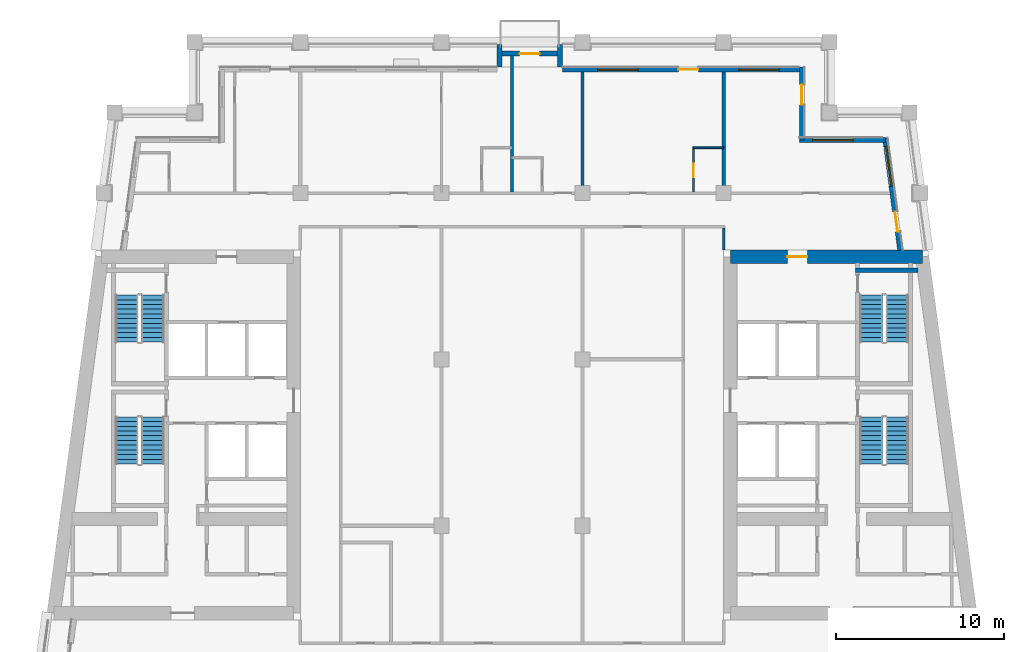
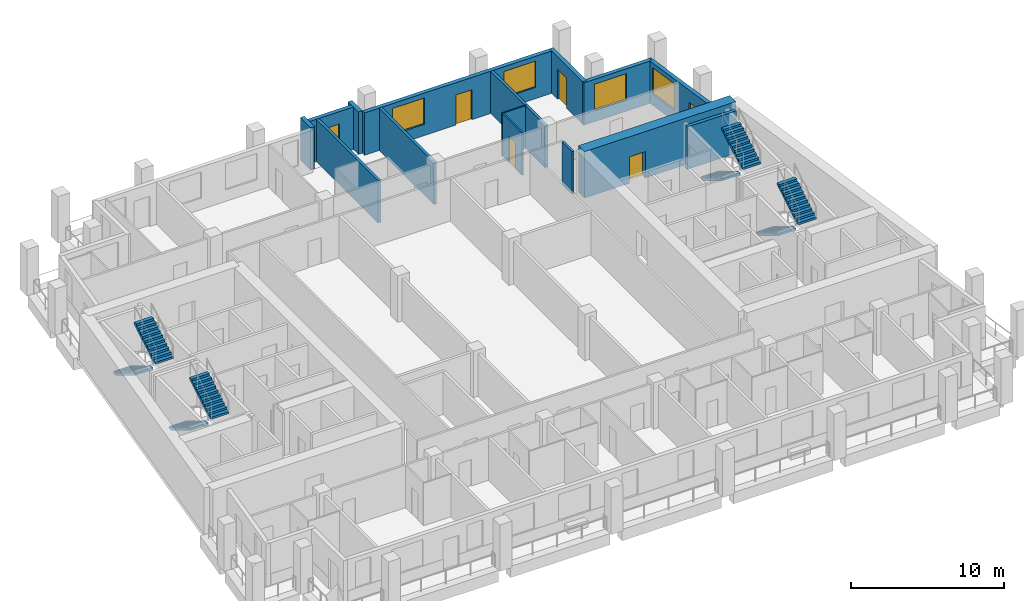
# One storey, part 7 of 12: 15 walls, 8 stair flights, 6 doors, 4 windows, 10 openings, 4 elements without a shape of their own.
"""IFC4 building model written with IfcOpenShell, lengths in metres."""

from ifc_helpers import new_model, si_unit, direction, frame, frame_2d, origin, place, context, subcontext, project, spatial, polyline, rectangle, outline, extrude, material, layer, layer_set, type_object, element, fill, aggregate, save


model = new_model("IFC4")

# Units and contexts
model_context = context("Model", 3, precision=1e-05, world=origin(), true_north=direction((0.0, 1.0)))
body_context = subcontext(model_context, "Body", "Model", "MODEL_VIEW")
ifc_project = project(units=[si_unit("LENGTHUNIT", "METRE"), si_unit("AREAUNIT", "SQUARE_METRE"), si_unit("VOLUMEUNIT", "CUBIC_METRE"), si_unit("PLANEANGLEUNIT", "RADIAN"), si_unit("MASSUNIT", "GRAM", prefix="KILO")], contexts=[model_context])

# Site, building, storey
site_placement = place(None, origin())
site = spatial("IfcSite", under=ifc_project, at=site_placement, CompositionType="ELEMENT")
building_placement = place(site_placement, origin())
building = spatial("IfcBuilding", under=site, at=building_placement, Name="Candeia Pilgrim Tower and Theatre", CompositionType="ELEMENT")
storey_placement = place(building_placement, frame((0.0, 0.0, 228.10009765625)))
storey = spatial("IfcBuildingStorey", under=building, at=storey_placement, Name="L55", CompositionType="ELEMENT", Elevation=228.10009765625)

# Wall, opening, door
ifc_material_1 = material(Name="Concrete C50/60", Category="concrete")
ifc_layer_1 = layer(ifc_material_1, 0.800048828125)
ifc_layer_set_1 = layer_set([ifc_layer_1], Name="Core wall 800 C50/60")
wall_type_1 = type_object("IfcWallType", Name="Core wall 800 C50/60", PredefinedType="SHEAR", material=ifc_layer_set_1)
wall_1_placement = place(storey_placement, frame((126.39990234375, 132.0, 0.0), z_axis=(0.0, 0.0, 1.0), x_axis=(1.0, 0.0, 0.0)))
wall_1 = element("IfcWall", 1, at=wall_1_placement, inside=storey, type_object=wall_type_1, Name="Core wall E1", PredefinedType="SHEAR", context=body_context, shape_type="SweptSolid", body=[
    extrude(rectangle(XDim=11.419677734375, YDim=0.800048828125, at=frame_2d((5.7099609375, 0.0))), origin(), (0.0, 0.0, 1.0), 3.699951171875),
])
opening_1_placement = place(wall_1_placement, frame((3.386474609375, 0.0, 0.0)))
opening_1 = element("IfcOpeningElement", 2, at=opening_1_placement, cuts=wall_1, Name="Opening L55-D058", PredefinedType="OPENING", context=body_context, shape_type="SweptSolid", body=[
    extrude(rectangle(XDim=1.199951171875, YDim=2.10009765625, at=frame_2d((0.60009765625, 1.050048828125))), frame((0.0, 0.41015625, 0.0), z_axis=(0.0, -1.0, 0.0), x_axis=(1.0, 0.0, 0.0)), (0.0, 0.0, 1.0), 0.820068359375),
])
ifc_material_2 = material(Name="Steel fire door set", Category="steel")
door_type_1 = type_object("IfcDoorType", Name="D-1200-FD60", OperationType="NOTDEFINED", PredefinedType="DOOR", material=ifc_material_2)
door_1_placement = place(opening_1_placement, origin())
door_1 = element("IfcDoor", 3, at=door_1_placement, inside=storey, type_object=door_type_1, Name="Door L55-D058", OperationType="SINGLE_SWING_LEFT", OverallHeight=2.10009765625, OverallWidth=1.199951171875, PredefinedType="DOOR", context=body_context, shape_type="SweptSolid", body=[
    extrude(rectangle(XDim=1.199951171875, YDim=2.10009765625, at=frame_2d((0.60009765625, 1.050048828125))), frame((0.0, 0.02490234375, 0.0), z_axis=(0.0, -1.0, 0.0), x_axis=(1.0, 0.0, 0.0)), (0.0, 0.0, 1.0), 0.050048828125),
])
fill(opening_1, door_1)

# Wall, openings, door, window
ifc_material_3 = material(Name="Ceramic block masonry", Category="masonry")
ifc_layer_2 = layer(ifc_material_3, 0.300048828125)
ifc_layer_set_2 = layer_set([ifc_layer_2], Name="EW1 glazing-line wall 300")
wall_type_2 = type_object("IfcWallType", Name="EW1 glazing-line wall 300", PredefinedType="SOLIDWALL", material=ifc_layer_set_2)
wall_2_placement = place(storey_placement, frame((136.50439453125, 132.39990234375, 0.0), z_axis=(0.0, 0.0, 1.0), x_axis=(-0.133399697462, 0.99106231929, 0.0)))
wall_2 = element("IfcWall", 4, at=wall_2_placement, inside=storey, type_object=wall_type_2, Name="External wall L55-3.1", PredefinedType="SOLIDWALL", context=body_context, shape_type="SweptSolid", body=[
    extrude(rectangle(XDim=6.740478515625, YDim=0.300048828125, at=frame_2d((3.3701171875, 0.0))), origin(), (0.0, 0.0, 1.0), 3.3798828125),
])
opening_2_placement = place(wall_2_placement, frame((1.115234375, 0.0, 0.0)))
opening_2 = element("IfcOpeningElement", 5, at=opening_2_placement, cuts=wall_2, Name="Opening L55-ED527", PredefinedType="OPENING", context=body_context, shape_type="SweptSolid", body=[
    extrude(rectangle(XDim=1.199951171875, YDim=2.39990234375, at=frame_2d((0.60009765625, 1.199951171875))), frame((0.0, 0.16015625, 0.0), z_axis=(0.0, -1.0, 0.0), x_axis=(1.0, 0.0, 0.0)), (0.0, 0.0, 1.0), 0.320068359375),
])
opening_3_placement = place(wall_2_placement, frame((3.83544921875, 0.0, 0.89990234375)))
opening_3 = element("IfcOpeningElement", 6, at=opening_3_placement, cuts=wall_2, Name="Opening W-A", PredefinedType="OPENING", context=body_context, shape_type="SweptSolid", body=[
    extrude(rectangle(XDim=2.39990234375, YDim=2.10009765625, at=frame_2d((1.199951171875, 1.050048828125))), frame((0.0, 0.16015625, 0.0), z_axis=(0.0, -1.0, 0.0), x_axis=(1.0, 0.0, 0.0)), (0.0, 0.0, 1.0), 0.320068359375),
])
ifc_material_4 = material(Name="Aluminium framed glazed door", Category="aluminium")
door_type_2 = type_object("IfcDoorType", Name="Loggia door 1200x2400", OperationType="DOUBLE_DOOR_SINGLE_SWING", PredefinedType="DOOR", material=ifc_material_4)
door_2_placement = place(opening_2_placement, origin())
door_2 = element("IfcDoor", 7, at=door_2_placement, inside=storey, type_object=door_type_2, Name="Loggia door L55-ED527", OperationType="DOUBLE_DOOR_SINGLE_SWING", OverallHeight=2.39990234375, OverallWidth=1.199951171875, PredefinedType="DOOR", context=body_context, shape_type="SweptSolid", body=[
    extrude(rectangle(XDim=1.199951171875, YDim=2.39990234375, at=frame_2d((0.60009765625, 1.199951171875))), frame((0.0, 0.02490234375, 0.0), z_axis=(0.0, -1.0, 0.0), x_axis=(1.0, 0.0, 0.0)), (0.0, 0.0, 1.0), 0.050048828125),
])
fill(opening_2, door_2)
ifc_material_5 = material(Name="Aluminium framed double glazing", Category="aluminium")
window_type = type_object("IfcWindowType", Name="W-A window 2400x2100", PartitioningType="DOUBLE_PANEL_VERTICAL", PredefinedType="WINDOW", material=ifc_material_5)
window_1_placement = place(opening_3_placement, origin())
window_1 = element("IfcWindow", 8, at=window_1_placement, inside=storey, type_object=window_type, Name="Window W-A L55", OverallHeight=2.10009765625, OverallWidth=2.39990234375, PartitioningType="SINGLE_PANEL", PredefinedType="WINDOW", context=body_context, shape_type="SweptSolid", body=[
    extrude(rectangle(XDim=2.39990234375, YDim=2.10009765625, at=frame_2d((1.199951171875, 1.050048828125))), frame((0.0, 0.030029296875, 0.0), z_axis=(0.0, -1.0, 0.0), x_axis=(1.0, 0.0, 0.0)), (0.0, 0.0, 1.0), 0.06005859375),
])
fill(opening_3, window_1)

# Wall, opening, window
wall_3_placement = place(storey_placement, frame((135.62255859375, 138.949951171875, 0.0), z_axis=(0.0, 0.0, 1.0), x_axis=(-1.0, 0.0, 0.0)))
wall_3 = element("IfcWall", 9, at=wall_3_placement, inside=storey, type_object=wall_type_2, Name="External wall L55-4.0", PredefinedType="SOLIDWALL", context=body_context, shape_type="SweptSolid", body=[
    extrude(rectangle(XDim=5.12255859375, YDim=0.300048828125, at=frame_2d((2.561279296875, 0.0))), origin(), (0.0, 0.0, 1.0), 3.3798828125),
])
opening_4_placement = place(wall_3_placement, frame((1.922607421875, 0.0, 0.89990234375)))
opening_4 = element("IfcOpeningElement", 10, at=opening_4_placement, cuts=wall_3, Name="Opening W-A", PredefinedType="OPENING", context=body_context, shape_type="SweptSolid", body=[
    extrude(rectangle(XDim=2.39990234375, YDim=2.10009765625, at=frame_2d((1.199951171875, 1.050048828125))), frame((0.0, 0.16015625, 0.0), z_axis=(0.0, -1.0, 0.0), x_axis=(1.0, 0.0, 0.0)), (0.0, 0.0, 1.0), 0.320068359375),
])
window_2_placement = place(opening_4_placement, origin())
window_2 = element("IfcWindow", 11, at=window_2_placement, inside=storey, type_object=window_type, Name="Window W-A L55", OverallHeight=2.10009765625, OverallWidth=2.39990234375, PartitioningType="SINGLE_PANEL", PredefinedType="WINDOW", context=body_context, shape_type="SweptSolid", body=[
    extrude(rectangle(XDim=2.39990234375, YDim=2.10009765625, at=frame_2d((1.199951171875, 1.050048828125))), frame((0.0, 0.030029296875, 0.0), z_axis=(0.0, -1.0, 0.0), x_axis=(1.0, 0.0, 0.0)), (0.0, 0.0, 1.0), 0.06005859375),
])
fill(opening_4, window_2)

# Wall, opening, door
wall_4_placement = place(storey_placement, frame((130.64990234375, 138.949951171875, 0.0), z_axis=(0.0, 0.0, 1.0), x_axis=(0.0, 1.0, 0.0)))
wall_4 = element("IfcWall", 12, at=wall_4_placement, inside=storey, type_object=wall_type_2, Name="External wall L55-5.0", PredefinedType="SOLIDWALL", context=body_context, shape_type="SweptSolid", body=[
    extrude(rectangle(XDim=4.35009765625, YDim=0.300048828125, at=frame_2d((2.175048828125, 0.0))), origin(), (0.0, 0.0, 1.0), 3.3798828125),
])
opening_5_placement = place(wall_4_placement, frame((2.10009765625, 0.0, 0.0)))
opening_5 = element("IfcOpeningElement", 13, at=opening_5_placement, cuts=wall_4, Name="Opening L55-ED528", PredefinedType="OPENING", context=body_context, shape_type="SweptSolid", body=[
    extrude(rectangle(XDim=1.199951171875, YDim=2.39990234375, at=frame_2d((0.60009765625, 1.199951171875))), frame((0.0, 0.16015625, 0.0), z_axis=(0.0, -1.0, 0.0), x_axis=(1.0, 0.0, 0.0)), (0.0, 0.0, 1.0), 0.320068359375),
])
door_3_placement = place(opening_5_placement, origin())
door_3 = element("IfcDoor", 14, at=door_3_placement, inside=storey, type_object=door_type_2, Name="Loggia door L55-ED528", OperationType="DOUBLE_DOOR_SINGLE_SWING", OverallHeight=2.39990234375, OverallWidth=1.199951171875, PredefinedType="DOOR", context=body_context, shape_type="SweptSolid", body=[
    extrude(rectangle(XDim=1.199951171875, YDim=2.39990234375, at=frame_2d((0.60009765625, 1.199951171875))), frame((0.0, 0.02490234375, 0.0), z_axis=(0.0, -1.0, 0.0), x_axis=(1.0, 0.0, 0.0)), (0.0, 0.0, 1.0), 0.050048828125),
])
fill(opening_5, door_3)

# Wall, openings, door, windows
wall_5_placement = place(storey_placement, frame((130.64990234375, 143.14990234375, 0.0), z_axis=(0.0, 0.0, 1.0), x_axis=(-1.0, 0.0, 0.0)))
wall_5 = element("IfcWall", 15, at=wall_5_placement, inside=storey, type_object=wall_type_2, Name="External wall L55-6.0", PredefinedType="SOLIDWALL", context=body_context, shape_type="SweptSolid", body=[
    extrude(rectangle(XDim=14.25, YDim=0.300048828125, at=frame_2d((7.125, 0.0))), origin(), (0.0, 0.0, 1.0), 3.3798828125),
])
opening_6_placement = place(wall_5_placement, frame((1.35009765625, 0.0, 0.89990234375)))
opening_6 = element("IfcOpeningElement", 16, at=opening_6_placement, cuts=wall_5, Name="Opening W-A", PredefinedType="OPENING", context=body_context, shape_type="SweptSolid", body=[
    extrude(rectangle(XDim=2.39990234375, YDim=2.10009765625, at=frame_2d((1.199951171875, 1.050048828125))), frame((0.0, 0.16015625, 0.0), z_axis=(0.0, -1.0, 0.0), x_axis=(1.0, 0.0, 0.0)), (0.0, 0.0, 1.0), 0.320068359375),
])
opening_7_placement = place(wall_5_placement, frame((6.14990234375, 0.0, 0.0)))
opening_7 = element("IfcOpeningElement", 17, at=opening_7_placement, cuts=wall_5, Name="Opening L55-ED529", PredefinedType="OPENING", context=body_context, shape_type="SweptSolid", body=[
    extrude(rectangle(XDim=1.199951171875, YDim=2.39990234375, at=frame_2d((0.60009765625, 1.199951171875))), frame((0.0, 0.16015625, 0.0), z_axis=(0.0, -1.0, 0.0), x_axis=(1.0, 0.0, 0.0)), (0.0, 0.0, 1.0), 0.320068359375),
])
opening_8_placement = place(wall_5_placement, frame((9.75, 0.0, 0.89990234375)))
opening_8 = element("IfcOpeningElement", 18, at=opening_8_placement, cuts=wall_5, Name="Opening W-A", PredefinedType="OPENING", context=body_context, shape_type="SweptSolid", body=[
    extrude(rectangle(XDim=2.39990234375, YDim=2.10009765625, at=frame_2d((1.199951171875, 1.050048828125))), frame((0.0, 0.16015625, 0.0), z_axis=(0.0, -1.0, 0.0), x_axis=(1.0, 0.0, 0.0)), (0.0, 0.0, 1.0), 0.320068359375),
])
door_4_placement = place(opening_7_placement, origin())
door_4 = element("IfcDoor", 19, at=door_4_placement, inside=storey, type_object=door_type_2, Name="Loggia door L55-ED529", OperationType="DOUBLE_DOOR_SINGLE_SWING", OverallHeight=2.39990234375, OverallWidth=1.199951171875, PredefinedType="DOOR", context=body_context, shape_type="SweptSolid", body=[
    extrude(rectangle(XDim=1.199951171875, YDim=2.39990234375, at=frame_2d((0.60009765625, 1.199951171875))), frame((0.0, 0.02490234375, 0.0), z_axis=(0.0, -1.0, 0.0), x_axis=(1.0, 0.0, 0.0)), (0.0, 0.0, 1.0), 0.050048828125),
])
fill(opening_7, door_4)
window_3_placement = place(opening_6_placement, origin())
window_3 = element("IfcWindow", 20, at=window_3_placement, inside=storey, type_object=window_type, Name="Window W-A L55", OverallHeight=2.10009765625, OverallWidth=2.39990234375, PartitioningType="SINGLE_PANEL", PredefinedType="WINDOW", context=body_context, shape_type="SweptSolid", body=[
    extrude(rectangle(XDim=2.39990234375, YDim=2.10009765625, at=frame_2d((1.199951171875, 1.050048828125))), frame((0.0, 0.030029296875, 0.0), z_axis=(0.0, -1.0, 0.0), x_axis=(1.0, 0.0, 0.0)), (0.0, 0.0, 1.0), 0.06005859375),
])
fill(opening_6, window_3)
window_4_placement = place(opening_8_placement, origin())
window_4 = element("IfcWindow", 21, at=window_4_placement, inside=storey, type_object=window_type, Name="Window W-A L55", OverallHeight=2.10009765625, OverallWidth=2.39990234375, PartitioningType="SINGLE_PANEL", PredefinedType="WINDOW", context=body_context, shape_type="SweptSolid", body=[
    extrude(rectangle(XDim=2.39990234375, YDim=2.10009765625, at=frame_2d((1.199951171875, 1.050048828125))), frame((0.0, 0.030029296875, 0.0), z_axis=(0.0, -1.0, 0.0), x_axis=(1.0, 0.0, 0.0)), (0.0, 0.0, 1.0), 0.06005859375),
])
fill(opening_8, window_4)

# Walls
ifc_layer_3 = layer(ifc_material_3, 0.300048828125)
ifc_layer_set_3 = layer_set([ifc_layer_3], Name="EW2 entrance infill wall 300")
wall_type_3 = type_object("IfcWallType", Name="EW2 entrance infill wall 300", PredefinedType="SOLIDWALL", material=ifc_layer_set_3)
for number, where, z_axis, x_axis, name in (
    (22, (116.25, 143.300048828125, 0.0), (0.0, 0.0, 1.0), (0.0, 1.0, 0.0), "Alcove wall L55"),
    (23, (112.64990234375, 143.300048828125, 0.0), (0.0, 0.0, 1.0), (0.0, 1.0, 0.0), "Alcove wall L55"),
):
    element("IfcWall", number, at=place(storey_placement, frame(where, z_axis=z_axis, x_axis=x_axis)), inside=storey, type_object=wall_type_3, Name=name, PredefinedType="SOLIDWALL", context=body_context, shape_type="SweptSolid", body=[
        extrude(rectangle(XDim=1.349853515625, YDim=0.300048828125, at=frame_2d((0.6748046875, 0.0))), origin(), (0.0, 0.0, 1.0), 3.3798828125),
    ])

# Wall, opening, door
wall_6_placement = place(storey_placement, frame((116.39990234375, 144.10009765625, 0.0), z_axis=(0.0, 0.0, 1.0), x_axis=(-1.0, 0.0, 0.0)))
wall_6 = element("IfcWall", 24, at=wall_6_placement, inside=storey, type_object=wall_type_3, Name="Alcove wall L55", PredefinedType="SOLIDWALL", context=body_context, shape_type="SweptSolid", body=[
    extrude(rectangle(XDim=3.89990234375, YDim=0.300048828125, at=frame_2d((1.949951171875, 0.0))), origin(), (0.0, 0.0, 1.0), 3.3798828125),
])
opening_9_placement = place(wall_6_placement, frame((1.35009765625, 0.0, 0.0)))
opening_9 = element("IfcOpeningElement", 25, at=opening_9_placement, cuts=wall_6, Name="Opening L55-ED531", PredefinedType="OPENING", context=body_context, shape_type="SweptSolid", body=[
    extrude(rectangle(XDim=1.199951171875, YDim=2.39990234375, at=frame_2d((0.60009765625, 1.199951171875))), frame((0.0, 0.16015625, 0.0), z_axis=(0.0, -1.0, 0.0), x_axis=(1.0, 0.0, 0.0)), (0.0, 0.0, 1.0), 0.320068359375),
])
door_5_placement = place(opening_9_placement, origin())
door_5 = element("IfcDoor", 26, at=door_5_placement, inside=storey, type_object=door_type_2, Name="Balcony door L55-ED531", OperationType="DOUBLE_DOOR_SINGLE_SWING", OverallHeight=2.39990234375, OverallWidth=1.199951171875, PredefinedType="DOOR", context=body_context, shape_type="SweptSolid", body=[
    extrude(rectangle(XDim=1.199951171875, YDim=2.39990234375, at=frame_2d((0.60009765625, 1.199951171875))), frame((0.0, 0.02490234375, 0.0), z_axis=(0.0, -1.0, 0.0), x_axis=(1.0, 0.0, 0.0)), (0.0, 0.0, 1.0), 0.050048828125),
])
fill(opening_9, door_5)

# Wall
ifc_material_6 = material(Name="Gypsum board partition on steel studs", Category="steel")
ifc_layer_4 = layer(ifc_material_6, 0.10009765625)
ifc_layer_set_4 = layer_set([ifc_layer_4], Name="PW-100 room partition")
wall_type_4 = type_object("IfcWallType", Name="PW-100 room partition", PredefinedType="PARTITIONING", material=ifc_layer_set_4)
wall_7_placement = place(storey_placement, frame((124.14990234375, 138.5, 0.0), z_axis=(0.0, 0.0, 1.0), x_axis=(1.0, 0.0, 0.0)))
element("IfcWall", 27, at=wall_7_placement, inside=storey, type_object=wall_type_4, Name="Room partition L55-048", PredefinedType="PARTITIONING", context=body_context, shape_type="SweptSolid", body=[
    extrude(rectangle(XDim=1.85009765625, YDim=0.10009765625, at=frame_2d((0.925048828125, 0.0))), origin(), (0.0, 0.0, 1.0), 3.3798828125),
])

# Wall, opening, door
wall_8_placement = place(storey_placement, frame((124.199951171875, 135.875, 0.0), z_axis=(0.0, 0.0, 1.0), x_axis=(0.0, 1.0, 0.0)))
wall_8 = element("IfcWall", 28, at=wall_8_placement, inside=storey, type_object=wall_type_4, Name="Room partition L55-094", PredefinedType="PARTITIONING", context=body_context, shape_type="SweptSolid", body=[
    extrude(rectangle(XDim=2.574951171875, YDim=0.10009765625, at=frame_2d((1.28759765625, 0.0))), origin(), (0.0, 0.0, 1.0), 3.3798828125),
])
opening_10_placement = place(wall_8_placement, frame((0.875, 0.0, 0.0)))
opening_10 = element("IfcOpeningElement", 29, at=opening_10_placement, cuts=wall_8, Name="Opening L55-D046", PredefinedType="OPENING", context=body_context, shape_type="SweptSolid", body=[
    extrude(rectangle(XDim=0.800048828125, YDim=2.10009765625, at=frame_2d((0.39990234375, 1.050048828125))), frame((0.0, 0.06005859375, 0.0), z_axis=(0.0, -1.0, 0.0), x_axis=(1.0, 0.0, 0.0)), (0.0, 0.0, 1.0), 0.1201171875),
])
ifc_material_7 = material(Name="Timber door leaf", Category="wood")
door_type_3 = type_object("IfcDoorType", Name="D-800", OperationType="NOTDEFINED", PredefinedType="DOOR", material=ifc_material_7)
door_6_placement = place(opening_10_placement, origin())
door_6 = element("IfcDoor", 30, at=door_6_placement, inside=storey, type_object=door_type_3, Name="Door L55-D046", OperationType="SINGLE_SWING_LEFT", OverallHeight=2.10009765625, OverallWidth=0.800048828125, PredefinedType="DOOR", context=body_context, shape_type="SweptSolid", body=[
    extrude(rectangle(XDim=0.800048828125, YDim=2.10009765625, at=frame_2d((0.39990234375, 1.050048828125))), frame((0.0, 0.02490234375, 0.0), z_axis=(0.0, -1.0, 0.0), x_axis=(1.0, 0.0, 0.0)), (0.0, 0.0, 1.0), 0.050048828125),
])
fill(opening_10, door_6)

# Walls
ifc_layer_5 = layer(ifc_material_6, 0.14990234375)
ifc_layer_set_5 = layer_set([ifc_layer_5], Name="PW-150 unit wall")
wall_type_5 = type_object("IfcWallType", Name="PW-150 unit wall", PredefinedType="PARTITIONING", material=ifc_layer_set_5)
wall_9_placement = place(storey_placement, frame((126.0, 132.39990234375, 0.0), z_axis=(0.0, 0.0, 1.0), x_axis=(0.0, 1.0, 0.0)))
element("IfcWall", 31, at=wall_9_placement, inside=storey, type_object=wall_type_5, Name="Unit wall L55-098", PredefinedType="PARTITIONING", context=body_context, shape_type="SweptSolid", body=[
    extrude(rectangle(XDim=1.3251953125, YDim=0.14990234375, at=frame_2d((0.66259765625, 0.0))), origin(), (0.0, 0.0, 1.0), 3.3798828125),
])
ifc_layer_6 = layer(ifc_material_6, 0.199951171875)
ifc_layer_set_6 = layer_set([ifc_layer_6], Name="PW-200 party wall")
wall_type_6 = type_object("IfcWallType", Name="PW-200 party wall", PredefinedType="PARTITIONING", material=ifc_layer_set_6)
wall_10_placement = place(storey_placement, frame((113.39990234375, 135.875, 0.0), z_axis=(0.0, 0.0, 1.0), x_axis=(0.0, 1.0, 0.0)))
element("IfcWall", 32, at=wall_10_placement, inside=storey, type_object=wall_type_6, Name="Party wall L55-085", PredefinedType="PARTITIONING", context=body_context, shape_type="SweptSolid", body=[
    extrude(rectangle(XDim=8.0849609375, YDim=0.199951171875, at=frame_2d((4.04248046875, 0.0))), origin(), (0.0, 0.0, 1.0), 3.3798828125),
])
for number, where, z_axis, x_axis, name in (
    (33, (117.60009765625, 135.875, 0.0), (0.0, 0.0, 1.0), (0.0, 1.0, 0.0), "Party wall L55-089"),
    (34, (126.0, 135.875, 0.0), (0.0, 0.0, 1.0), (0.0, 1.0, 0.0), "Party wall L55-096"),
):
    element("IfcWall", number, at=place(storey_placement, frame(where, z_axis=z_axis, x_axis=x_axis)), inside=storey, type_object=wall_type_6, Name=name, PredefinedType="PARTITIONING", context=body_context, shape_type="SweptSolid", body=[
        extrude(rectangle(XDim=7.135009765625, YDim=0.199951171875, at=frame_2d((3.5673828125, 0.0))), origin(), (0.0, 0.0, 1.0), 3.3798828125),
    ])
ifc_material_8 = material(Name="Concrete C40/50", Category="concrete")
ifc_layer_7 = layer(ifc_material_8, 0.25)
ifc_layer_set_7 = layer_set([ifc_layer_7], Name="SW-250 stair wall")
wall_type_7 = type_object("IfcWallType", Name="SW-250 stair wall", PredefinedType="PARTITIONING", material=ifc_layer_set_7)
wall_11_placement = place(storey_placement, frame((133.847900390625, 131.199951171875, 0.0), z_axis=(0.0, 0.0, 1.0), x_axis=(1.0, 0.0, 0.0)))
element("IfcWall", 35, at=wall_11_placement, inside=storey, type_object=wall_type_7, Name="Stair wall L55-042", PredefinedType="PARTITIONING", context=body_context, shape_type="SweptSolid", body=[
    extrude(rectangle(XDim=3.705810546875, YDim=0.25, at=frame_2d((1.85302734375, 0.0))), origin(), (0.0, 0.0, 1.0), 3.3798828125),
])

# Stair, stair flights
stair_type = type_object("IfcStairType", Name="ST-TWR dog-leg escape stair", PredefinedType="HALF_TURN_STAIR", material=ifc_material_8)
stair_1_placement = place(storey_placement, origin())
stair_1 = element("IfcStair", 36, at=stair_1_placement, inside=storey, type_object=stair_type, Name="L55 Escape stair ST1", PredefinedType="HALF_TURN_STAIR")
stair_flight_type = type_object("IfcStairFlightType", Name="SFL-RC stair flight", PredefinedType="STRAIGHT", material=ifc_material_8)
stair_flight_1_placement = place(storey_placement, frame((90.47705078125, 122.47509765625, 0.0), z_axis=(0.0, 0.0, 1.0), x_axis=(0.0, -1.0, 0.0)))
stair_flight_1 = element("IfcStairFlight", 37, at=stair_flight_1_placement, type_object=stair_flight_type, Name="ST1 flight 1", NumberOfRisers=11, NumberOfTreads=10, PredefinedType="STRAIGHT", RiserHeight=0.168181818, TreadLength=0.28, context=body_context, shape_type="SweptSolid", body=[
    extrude(outline(polyline([(0.0, 0.0), (0.0, 0.168212890625), (0.280029296875, 0.168212890625), (0.280029296875, 0.33642578125), (0.56005859375, 0.33642578125), (0.56005859375, 0.504638671875), (0.840087890625, 0.504638671875), (0.840087890625, 0.672607421875), (1.1201171875, 0.672607421875), (1.1201171875, 0.8408203125), (1.39990234375, 0.8408203125), (1.39990234375, 1.009033203125), (1.679931640625, 1.009033203125), (1.679931640625, 1.17724609375), (1.9599609375, 1.17724609375), (1.9599609375, 1.345458984375), (2.239990234375, 1.345458984375), (2.239990234375, 1.513671875), (2.52001953125, 1.513671875), (2.52001953125, 1.681884765625), (2.800048828125, 1.681884765625), (2.800048828125, 1.85009765625), (2.800048828125, 1.5068359375), (0.291015625, 0.0), (0.0, 0.0)])), frame((0.0, 0.675048828125, 0.0), z_axis=(0.0, -1.0, 0.0), x_axis=(1.0, 0.0, 0.0)), (0.0, 0.0, 1.0), 1.35009765625),
])
stair_flight_2_placement = place(storey_placement, frame((92.027099609375, 119.675048828125, 1.849853515625), z_axis=(0.0, 0.0, 1.0), x_axis=(0.0, 1.0, 0.0)))
stair_flight_2 = element("IfcStairFlight", 38, at=stair_flight_2_placement, type_object=stair_flight_type, Name="ST1 flight 2", NumberOfRisers=11, NumberOfTreads=10, PredefinedType="STRAIGHT", RiserHeight=0.168181818, TreadLength=0.28, context=body_context, shape_type="SweptSolid", body=[
    extrude(outline(polyline([(0.0, 0.0), (0.0, 0.168212890625), (0.280029296875, 0.168212890625), (0.280029296875, 0.33642578125), (0.56005859375, 0.33642578125), (0.56005859375, 0.504638671875), (0.840087890625, 0.504638671875), (0.840087890625, 0.672607421875), (1.1201171875, 0.672607421875), (1.1201171875, 0.8408203125), (1.39990234375, 0.8408203125), (1.39990234375, 1.009033203125), (1.679931640625, 1.009033203125), (1.679931640625, 1.17724609375), (1.9599609375, 1.17724609375), (1.9599609375, 1.345458984375), (2.239990234375, 1.345458984375), (2.239990234375, 1.513671875), (2.52001953125, 1.513671875), (2.52001953125, 1.681884765625), (2.800048828125, 1.681884765625), (2.800048828125, 1.85009765625), (2.800048828125, 1.5068359375), (0.291015625, 0.0), (0.0, 0.0)])), frame((0.0, 0.675048828125, 0.0), z_axis=(0.0, -1.0, 0.0), x_axis=(1.0, 0.0, 0.0)), (0.0, 0.0, 1.0), 1.35009765625),
])
aggregate(stair_1, [stair_flight_1, stair_flight_2])

stair_2_placement = place(storey_placement, origin())
stair_2 = element("IfcStair", 39, at=stair_2_placement, inside=storey, type_object=stair_type, Name="L55 Escape stair ST2", PredefinedType="HALF_TURN_STAIR")
stair_flight_3_placement = place(storey_placement, frame((90.47705078125, 129.72509765625, 0.0), z_axis=(0.0, 0.0, 1.0), x_axis=(0.0, -1.0, 0.0)))
stair_flight_3 = element("IfcStairFlight", 40, at=stair_flight_3_placement, type_object=stair_flight_type, Name="ST2 flight 1", NumberOfRisers=11, NumberOfTreads=10, PredefinedType="STRAIGHT", RiserHeight=0.168181818, TreadLength=0.28, context=body_context, shape_type="SweptSolid", body=[
    extrude(outline(polyline([(0.0, 0.0), (0.0, 0.168212890625), (0.280029296875, 0.168212890625), (0.280029296875, 0.33642578125), (0.56005859375, 0.33642578125), (0.56005859375, 0.504638671875), (0.840087890625, 0.504638671875), (0.840087890625, 0.672607421875), (1.1201171875, 0.672607421875), (1.1201171875, 0.8408203125), (1.39990234375, 0.8408203125), (1.39990234375, 1.009033203125), (1.679931640625, 1.009033203125), (1.679931640625, 1.17724609375), (1.9599609375, 1.17724609375), (1.9599609375, 1.345458984375), (2.239990234375, 1.345458984375), (2.239990234375, 1.513671875), (2.52001953125, 1.513671875), (2.52001953125, 1.681884765625), (2.800048828125, 1.681884765625), (2.800048828125, 1.85009765625), (2.800048828125, 1.5068359375), (0.291015625, 0.0), (0.0, 0.0)])), frame((0.0, 0.675048828125, 0.0), z_axis=(0.0, -1.0, 0.0), x_axis=(1.0, 0.0, 0.0)), (0.0, 0.0, 1.0), 1.35009765625),
])
stair_flight_4_placement = place(storey_placement, frame((92.027099609375, 126.925048828125, 1.849853515625), z_axis=(0.0, 0.0, 1.0), x_axis=(0.0, 1.0, 0.0)))
stair_flight_4 = element("IfcStairFlight", 41, at=stair_flight_4_placement, type_object=stair_flight_type, Name="ST2 flight 2", NumberOfRisers=11, NumberOfTreads=10, PredefinedType="STRAIGHT", RiserHeight=0.168181818, TreadLength=0.28, context=body_context, shape_type="SweptSolid", body=[
    extrude(outline(polyline([(0.0, 0.0), (0.0, 0.168212890625), (0.280029296875, 0.168212890625), (0.280029296875, 0.33642578125), (0.56005859375, 0.33642578125), (0.56005859375, 0.504638671875), (0.840087890625, 0.504638671875), (0.840087890625, 0.672607421875), (1.1201171875, 0.672607421875), (1.1201171875, 0.8408203125), (1.39990234375, 0.8408203125), (1.39990234375, 1.009033203125), (1.679931640625, 1.009033203125), (1.679931640625, 1.17724609375), (1.9599609375, 1.17724609375), (1.9599609375, 1.345458984375), (2.239990234375, 1.345458984375), (2.239990234375, 1.513671875), (2.52001953125, 1.513671875), (2.52001953125, 1.681884765625), (2.800048828125, 1.681884765625), (2.800048828125, 1.85009765625), (2.800048828125, 1.5068359375), (0.291015625, 0.0), (0.0, 0.0)])), frame((0.0, 0.675048828125, 0.0), z_axis=(0.0, -1.0, 0.0), x_axis=(1.0, 0.0, 0.0)), (0.0, 0.0, 1.0), 1.35009765625),
])
aggregate(stair_2, [stair_flight_3, stair_flight_4])

stair_3_placement = place(storey_placement, origin())
stair_3 = element("IfcStair", 42, at=stair_3_placement, inside=storey, type_object=stair_type, Name="L55 Escape stair ST3", PredefinedType="HALF_TURN_STAIR")
stair_flight_5_placement = place(storey_placement, frame((134.77294921875, 122.47509765625, 0.0), z_axis=(0.0, 0.0, 1.0), x_axis=(0.0, -1.0, 0.0)))
stair_flight_5 = element("IfcStairFlight", 43, at=stair_flight_5_placement, type_object=stair_flight_type, Name="ST3 flight 1", NumberOfRisers=11, NumberOfTreads=10, PredefinedType="STRAIGHT", RiserHeight=0.168181818, TreadLength=0.28, context=body_context, shape_type="SweptSolid", body=[
    extrude(outline(polyline([(0.0, 0.0), (0.0, 0.168212890625), (0.280029296875, 0.168212890625), (0.280029296875, 0.33642578125), (0.56005859375, 0.33642578125), (0.56005859375, 0.504638671875), (0.840087890625, 0.504638671875), (0.840087890625, 0.672607421875), (1.1201171875, 0.672607421875), (1.1201171875, 0.8408203125), (1.39990234375, 0.8408203125), (1.39990234375, 1.009033203125), (1.679931640625, 1.009033203125), (1.679931640625, 1.17724609375), (1.9599609375, 1.17724609375), (1.9599609375, 1.345458984375), (2.239990234375, 1.345458984375), (2.239990234375, 1.513671875), (2.52001953125, 1.513671875), (2.52001953125, 1.681884765625), (2.800048828125, 1.681884765625), (2.800048828125, 1.85009765625), (2.800048828125, 1.5068359375), (0.291015625, 0.0), (0.0, 0.0)])), frame((0.0, 0.675048828125, 0.0), z_axis=(0.0, -1.0, 0.0), x_axis=(1.0, 0.0, 0.0)), (0.0, 0.0, 1.0), 1.35009765625),
])
stair_flight_6_placement = place(storey_placement, frame((136.322998046875, 119.675048828125, 1.849853515625), z_axis=(0.0, 0.0, 1.0), x_axis=(0.0, 1.0, 0.0)))
stair_flight_6 = element("IfcStairFlight", 44, at=stair_flight_6_placement, type_object=stair_flight_type, Name="ST3 flight 2", NumberOfRisers=11, NumberOfTreads=10, PredefinedType="STRAIGHT", RiserHeight=0.168181818, TreadLength=0.28, context=body_context, shape_type="SweptSolid", body=[
    extrude(outline(polyline([(0.0, 0.0), (0.0, 0.168212890625), (0.280029296875, 0.168212890625), (0.280029296875, 0.33642578125), (0.56005859375, 0.33642578125), (0.56005859375, 0.504638671875), (0.840087890625, 0.504638671875), (0.840087890625, 0.672607421875), (1.1201171875, 0.672607421875), (1.1201171875, 0.8408203125), (1.39990234375, 0.8408203125), (1.39990234375, 1.009033203125), (1.679931640625, 1.009033203125), (1.679931640625, 1.17724609375), (1.9599609375, 1.17724609375), (1.9599609375, 1.345458984375), (2.239990234375, 1.345458984375), (2.239990234375, 1.513671875), (2.52001953125, 1.513671875), (2.52001953125, 1.681884765625), (2.800048828125, 1.681884765625), (2.800048828125, 1.85009765625), (2.800048828125, 1.5068359375), (0.291015625, 0.0), (0.0, 0.0)])), frame((0.0, 0.675048828125, 0.0), z_axis=(0.0, -1.0, 0.0), x_axis=(1.0, 0.0, 0.0)), (0.0, 0.0, 1.0), 1.35009765625),
])
aggregate(stair_3, [stair_flight_5, stair_flight_6])

stair_4_placement = place(storey_placement, origin())
stair_4 = element("IfcStair", 45, at=stair_4_placement, inside=storey, type_object=stair_type, Name="L55 Escape stair ST4", PredefinedType="HALF_TURN_STAIR")
stair_flight_7_placement = place(storey_placement, frame((134.77294921875, 129.72509765625, 0.0), z_axis=(0.0, 0.0, 1.0), x_axis=(0.0, -1.0, 0.0)))
stair_flight_7 = element("IfcStairFlight", 46, at=stair_flight_7_placement, type_object=stair_flight_type, Name="ST4 flight 1", NumberOfRisers=11, NumberOfTreads=10, PredefinedType="STRAIGHT", RiserHeight=0.168181818, TreadLength=0.28, context=body_context, shape_type="SweptSolid", body=[
    extrude(outline(polyline([(0.0, 0.0), (0.0, 0.168212890625), (0.280029296875, 0.168212890625), (0.280029296875, 0.33642578125), (0.56005859375, 0.33642578125), (0.56005859375, 0.504638671875), (0.840087890625, 0.504638671875), (0.840087890625, 0.672607421875), (1.1201171875, 0.672607421875), (1.1201171875, 0.8408203125), (1.39990234375, 0.8408203125), (1.39990234375, 1.009033203125), (1.679931640625, 1.009033203125), (1.679931640625, 1.17724609375), (1.9599609375, 1.17724609375), (1.9599609375, 1.345458984375), (2.239990234375, 1.345458984375), (2.239990234375, 1.513671875), (2.52001953125, 1.513671875), (2.52001953125, 1.681884765625), (2.800048828125, 1.681884765625), (2.800048828125, 1.85009765625), (2.800048828125, 1.5068359375), (0.291015625, 0.0), (0.0, 0.0)])), frame((0.0, 0.675048828125, 0.0), z_axis=(0.0, -1.0, 0.0), x_axis=(1.0, 0.0, 0.0)), (0.0, 0.0, 1.0), 1.35009765625),
])
stair_flight_8_placement = place(storey_placement, frame((136.322998046875, 126.925048828125, 1.849853515625), z_axis=(0.0, 0.0, 1.0), x_axis=(0.0, 1.0, 0.0)))
stair_flight_8 = element("IfcStairFlight", 47, at=stair_flight_8_placement, type_object=stair_flight_type, Name="ST4 flight 2", NumberOfRisers=11, NumberOfTreads=10, PredefinedType="STRAIGHT", RiserHeight=0.168181818, TreadLength=0.28, context=body_context, shape_type="SweptSolid", body=[
    extrude(outline(polyline([(0.0, 0.0), (0.0, 0.168212890625), (0.280029296875, 0.168212890625), (0.280029296875, 0.33642578125), (0.56005859375, 0.33642578125), (0.56005859375, 0.504638671875), (0.840087890625, 0.504638671875), (0.840087890625, 0.672607421875), (1.1201171875, 0.672607421875), (1.1201171875, 0.8408203125), (1.39990234375, 0.8408203125), (1.39990234375, 1.009033203125), (1.679931640625, 1.009033203125), (1.679931640625, 1.17724609375), (1.9599609375, 1.17724609375), (1.9599609375, 1.345458984375), (2.239990234375, 1.345458984375), (2.239990234375, 1.513671875), (2.52001953125, 1.513671875), (2.52001953125, 1.681884765625), (2.800048828125, 1.681884765625), (2.800048828125, 1.85009765625), (2.800048828125, 1.5068359375), (0.291015625, 0.0), (0.0, 0.0)])), frame((0.0, 0.675048828125, 0.0), z_axis=(0.0, -1.0, 0.0), x_axis=(1.0, 0.0, 0.0)), (0.0, 0.0, 1.0), 1.35009765625),
])
aggregate(stair_4, [stair_flight_7, stair_flight_8])

save(model, "model.ifc")
